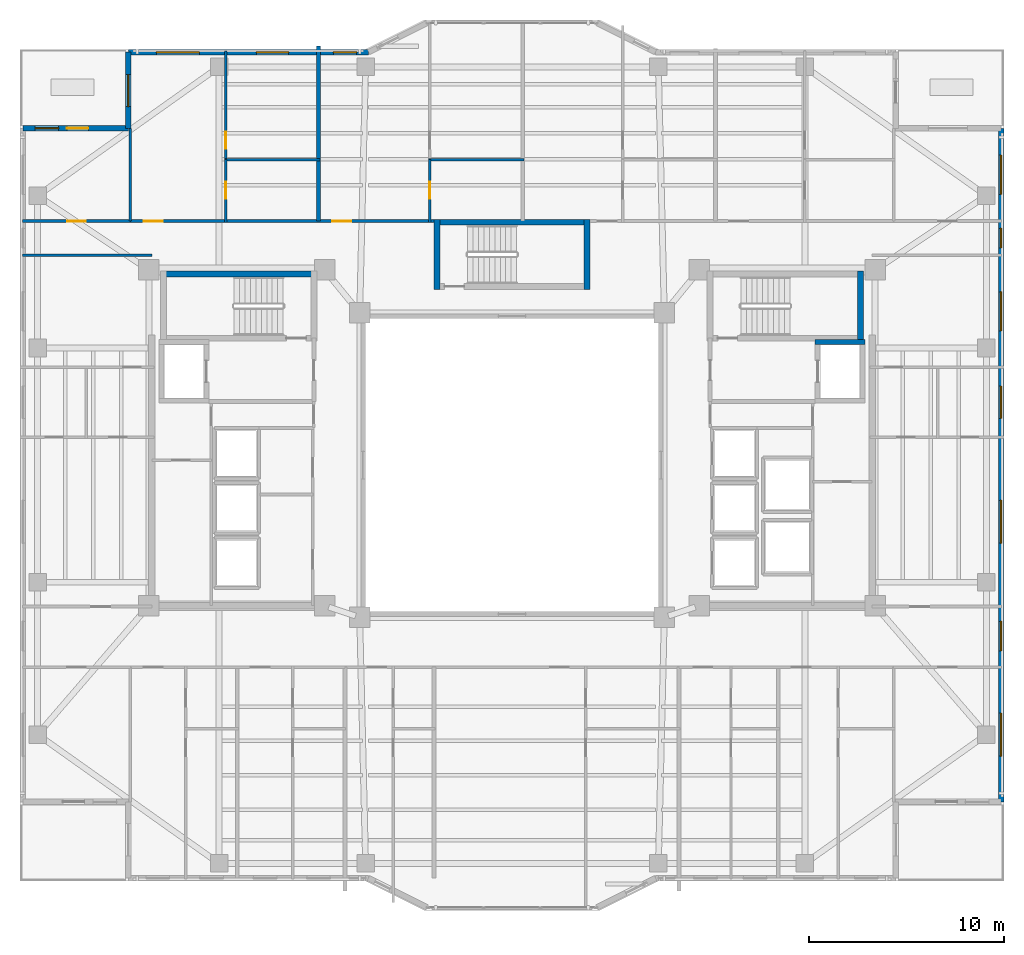
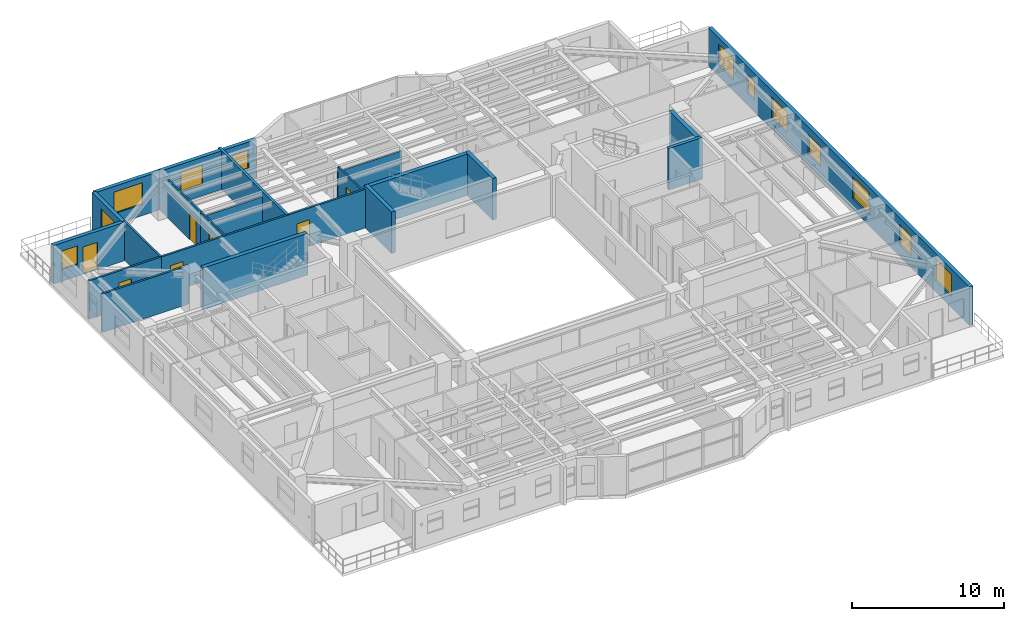
# One storey, part 10 of 17: 20 walls, 12 windows, 7 doors, 19 openings.
"""IFC4 building model written with IfcOpenShell, lengths in metres."""

import ifcopenshell
import ifcopenshell.guid

model = None  # the IFC model being written
_history = None  # IfcOwnerHistory: only IFC2X3 demands one
_inside = {}  # id of a spatial element -> (the spatial element, [elements in it])
_under = {}  # id of a project, library or spatial element -> (it, [spatial elements below it])
_declared = {}  # id of a project -> (the project, [libraries it declares])
_typed = {}  # id of a type object -> (the type object, [elements of that type])
_made_of = {}  # id of a material, layer set ... -> (it, [elements and type objects made of it])


def new_model(schema):
    """Start an empty IFC model of exactly this schema.

    Asked for "IFC4X3", IfcOpenShell would pick the latest addendum, in which some entities
    have other attributes; the version numbers below select the first issue.
    IFC2X3 requires an IfcOwnerHistory on every rooted entity: one is made here for all.
    """
    global model, _history
    if schema == "IFC4X3":
        model = ifcopenshell.file(schema_version=(4, 3, 0, 0))
    else:
        model = ifcopenshell.file(schema=schema)
    _inside.clear()
    _under.clear()
    _declared.clear()
    _typed.clear()
    _made_of.clear()
    _history = None
    if model.schema == "IFC2X3":
        org = make("IfcOrganization", Name="unknown")
        user = make(
            "IfcPersonAndOrganization",
            ThePerson=make("IfcPerson", FamilyName="unknown"),
            TheOrganization=org,
        )
        app = make(
            "IfcApplication",
            ApplicationDeveloper=org,
            Version="unknown",
            ApplicationFullName="unknown",
            ApplicationIdentifier="unknown",
        )
        _history = make(
            "IfcOwnerHistory",
            OwningUser=user,
            OwningApplication=app,
            ChangeAction="ADDED",
            CreationDate=0,
        )
    return model


def make(cls, **values):
    """One entity of the class cls with the attributes given. An attribute that is None is left unset."""
    return model.create_entity(
        cls, **{name: value for name, value in values.items() if value is not None}
    )


def rooted(cls, **values):
    """An entity with a GlobalId (a new one), such as an element, a storey or a relation."""
    return make(cls, GlobalId=ifcopenshell.guid.new(), OwnerHistory=_history, **values)


def si_unit(unit_type, name, prefix=None):
    """IfcSIUnit, for example si_unit("LENGTHUNIT", "METRE", prefix="MILLI")."""
    return make("IfcSIUnit", UnitType=unit_type, Prefix=prefix, Name=name)


def assignment(units):
    """IfcUnitAssignment: the units of a project."""
    return None if units is None else make("IfcUnitAssignment", Units=units)


def point(xyz):
    """IfcCartesianPoint."""
    return None if xyz is None else make("IfcCartesianPoint", Coordinates=xyz)


def direction(xyz):
    """IfcDirection."""
    return None if xyz is None else make("IfcDirection", DirectionRatios=xyz)


def frame(location, z_axis=None, x_axis=None):
    """IfcAxis2Placement3D, a coordinate frame: its origin and axes. An axis left out is left unset."""
    return make(
        "IfcAxis2Placement3D",
        Location=point(location),
        Axis=direction(z_axis),
        RefDirection=direction(x_axis),
    )


def frame_2d(location, x_axis=None):
    """IfcAxis2Placement2D, a coordinate frame in the plane: its origin and x axis."""
    return make(
        "IfcAxis2Placement2D", Location=point(location), RefDirection=direction(x_axis)
    )


def origin():
    """The frame at (0, 0, 0) with its axes left unset."""
    return frame((0.0, 0.0, 0.0))


def place(relative_to, where):
    """IfcLocalPlacement: puts the frame where relative to a parent placement (None: the world)."""
    return make(
        "IfcLocalPlacement", PlacementRelTo=relative_to, RelativePlacement=where
    )


def context(
    kind, dimensions, precision=None, world=None, true_north=None, identifier=None
):
    """IfcGeometricRepresentationContext, for example the 3D "Model" context."""
    return make(
        "IfcGeometricRepresentationContext",
        ContextIdentifier=identifier,
        ContextType=kind,
        CoordinateSpaceDimension=dimensions,
        Precision=precision,
        WorldCoordinateSystem=world,
        TrueNorth=true_north,
    )


def subcontext(parent, identifier, kind, view, scale=None):
    """IfcGeometricRepresentationSubContext, for example "Body" below "Model"."""
    return make(
        "IfcGeometricRepresentationSubContext",
        ContextIdentifier=identifier,
        ContextType=kind,
        ParentContext=parent,
        TargetScale=scale,
        TargetView=view,
    )


def project(units=None, contexts=None):
    """IfcProject with its units and contexts."""
    return rooted(
        "IfcProject",
        Name="project",
        RepresentationContexts=contexts,
        UnitsInContext=assignment(units),
    )


def spatial(cls, under=None, at=None, **own):
    """A site, building, storey or space (cls), placed at a placement, below another one or the project."""
    s = rooted(cls, ObjectPlacement=at, **own)
    if under is not None:
        _under.setdefault(under.id(), (under, []))[1].append(s)
    return s


def profile(cls, at=None, kind="AREA", **sizes):
    """A parametric profile (cls). Its sizes go by their IFC names, for example OverallWidth=200.0."""
    return make(cls, ProfileType=kind, Position=at, **sizes)


def rectangle(**sizes):
    """IfcRectangleProfileDef."""
    return profile("IfcRectangleProfileDef", **sizes)


def extrude(swept, where, along, depth):
    """IfcExtrudedAreaSolid: the profile swept, set in the frame where, extruded along a direction by depth."""
    return make(
        "IfcExtrudedAreaSolid",
        SweptArea=swept,
        Position=where,
        ExtrudedDirection=direction(along),
        Depth=depth,
    )


def shape(context_of_items, identifier, shape_type, items):
    """IfcShapeRepresentation: the items that make up one representation, for example the "Body"."""
    return make(
        "IfcShapeRepresentation",
        ContextOfItems=context_of_items,
        RepresentationIdentifier=identifier,
        RepresentationType=shape_type,
        Items=items,
    )


def material(Name=None, Category=None):
    """IfcMaterial."""
    return make("IfcMaterial", Name=Name, Category=Category)


def layer(
    of_material, thickness, ventilated=None, Name=None, Category=None, Priority=None
):
    """IfcMaterialLayer: one layer of a wall or slab, of a material (None: an air gap)."""
    return make(
        "IfcMaterialLayer",
        Material=of_material,
        LayerThickness=thickness,
        IsVentilated=ventilated,
        Name=Name,
        Category=Category,
        Priority=Priority,
    )


def layer_set(layers, Name=None):
    """IfcMaterialLayerSet."""
    return make("IfcMaterialLayerSet", MaterialLayers=layers, LayerSetName=Name)


def made_of(thing, what):
    """Note that an element or type object is made of a material, layer set ...; save() writes the relation."""
    if what is not None:
        _made_of.setdefault(what.id(), (what, []))[1].append(thing)
    return thing


def type_object(cls, material=None, **own):
    """A type object (cls), such as IfcWallType, which elements share."""
    return made_of(rooted(cls, **own), material)


def element(
    cls,
    number,
    at=None,
    inside=None,
    cuts=None,
    type_object=None,
    material=None,
    context=None,
    identifier="Body",
    shape_type=None,
    held_by="IfcProductDefinitionShape",
    body=None,
    shapes=None,
    **own,
):
    """One element of the class cls, such as IfcWall. Its Tag is "e" and its number.

    at: its placement. inside: the storey or other place that contains it. cuts: it is an
    opening in that element (IfcRelVoidsElement). A single representation is given by context,
    identifier, shape_type and body (its items); several are given by shapes. held_by: the class
    of the entity that holds the representations. save() writes the other relations.
    """
    e = rooted(cls, Tag="e%d" % number, ObjectPlacement=at, **own)
    if body is not None:
        shapes = [shape(context, identifier, shape_type, body)]
    if shapes is not None:
        e.Representation = make(held_by, Representations=shapes)
    if inside is not None:
        _inside.setdefault(inside.id(), (inside, []))[1].append(e)
    if cuts is not None:
        rooted(
            "IfcRelVoidsElement", RelatingBuildingElement=cuts, RelatedOpeningElement=e
        )
    if type_object is not None:
        _typed.setdefault(type_object.id(), (type_object, []))[1].append(e)
    return made_of(e, material)


def fill(opening, filler):
    """IfcRelFillsElement: the door or window that sits in an opening."""
    return rooted(
        "IfcRelFillsElement",
        RelatingOpeningElement=opening,
        RelatedBuildingElement=filler,
    )


def aggregate(whole, parts):
    """IfcRelAggregates: a whole, such as a stair, and the parts it consists of."""
    return rooted("IfcRelAggregates", RelatingObject=whole, RelatedObjects=parts)


def save(model, path):
    """Write the relations noted so far, then the file.

    IfcRelAggregates (storeys below a building ...), IfcRelContainedInSpatialStructure (elements
    in a storey), IfcRelDefinesByType, IfcRelAssociatesMaterial and IfcRelDeclares: one each for
    every whole, place, type object, material and project.
    """
    for whole, parts in _under.values():
        aggregate(whole, parts)
    for where, things in _inside.values():
        rooted(
            "IfcRelContainedInSpatialStructure",
            RelatedElements=things,
            RelatingStructure=where,
        )
    for kind, things in _typed.values():
        rooted("IfcRelDefinesByType", RelatedObjects=things, RelatingType=kind)
    for what, things in _made_of.values():
        rooted("IfcRelAssociatesMaterial", RelatedObjects=things, RelatingMaterial=what)
    for by, libraries in _declared.values():
        rooted("IfcRelDeclares", RelatingContext=by, RelatedDefinitions=libraries)
    model.write(path)


model = new_model("IFC4")

# Units and contexts
model_context = context("Model", 3, precision=1e-05, world=origin(), true_north=direction((0.0, 1.0)))
body_context = subcontext(model_context, "Body", "Model", "MODEL_VIEW")
ifc_project = project(units=[si_unit("LENGTHUNIT", "METRE"), si_unit("AREAUNIT", "SQUARE_METRE"), si_unit("VOLUMEUNIT", "CUBIC_METRE"), si_unit("PLANEANGLEUNIT", "RADIAN"), si_unit("MASSUNIT", "GRAM", prefix="KILO")], contexts=[model_context])

# Site, building, storey
site_placement = place(None, origin())
site = spatial("IfcSite", under=ifc_project, at=site_placement, CompositionType="ELEMENT")
building_placement = place(site_placement, origin())
building = spatial("IfcBuilding", under=site, at=building_placement, Name="Tarnavaz Court Tower", CompositionType="ELEMENT")
storey_placement = place(building_placement, frame((0.0, 0.0, 132.60009765625)))
storey = spatial("IfcBuildingStorey", under=building, at=storey_placement, Name="L35", CompositionType="ELEMENT", Elevation=132.60009765625)

# Walls
ifc_material_1 = material(Name="Concrete C50/60", Category="concrete")
ifc_layer_1 = layer(ifc_material_1, 0.25)
ifc_layer_set_1 = layer_set([ifc_layer_1], Name="Concrete C50/60")
wall_type_1 = type_object("IfcWallType", Name="WL-CORE-250-C50", PredefinedType="SHEAR", material=ifc_layer_set_1)
wall_1_placement = place(storey_placement, frame((15.52490234375, 6.300048828125, 0.0), z_axis=(0.0, 0.0, 1.0), x_axis=(1.0, 0.0, 0.0)))
element("IfcWall", 1, at=wall_1_placement, inside=storey, type_object=wall_type_1, Name="L35 Lift FL-E1 Shaft Wall 036", PredefinedType="SHEAR", context=body_context, shape_type="SweptSolid", body=[
    extrude(rectangle(XDim=2.550048828125, YDim=0.25, at=frame_2d((1.27490234375, 0.0))), origin(), (0.0, 0.0, 1.0), 3.349853515625),
])
ifc_layer_2 = layer(ifc_material_1, 0.300048828125)
ifc_layer_set_2 = layer_set([ifc_layer_2], Name="Concrete C50/60")
wall_type_2 = type_object("IfcWallType", Name="WL-CORE-300-C50", PredefinedType="SHEAR", material=ifc_layer_set_2)
wall_2_placement = place(storey_placement, frame((-18.0, 9.7900390625, 0.0), z_axis=(0.0, 0.0, 1.0), x_axis=(1.0, 0.0, 0.0)))
element("IfcWall", 2, at=wall_2_placement, inside=storey, type_object=wall_type_2, Name="L35 West Stair Core Wall 001", PredefinedType="SHEAR", context=body_context, shape_type="SweptSolid", body=[
    extrude(rectangle(XDim=8.0, YDim=0.300048828125, at=frame_2d((4.0, 0.0))), origin(), (0.0, 0.0, 1.0), 3.349853515625),
])
wall_3_placement = place(storey_placement, frame((17.85009765625, 6.35009765625, 0.0), z_axis=(0.0, 0.0, 1.0), x_axis=(0.0, 1.0, 0.0)))
element("IfcWall", 3, at=wall_3_placement, inside=storey, type_object=wall_type_2, Name="L35 East Stair Core Wall 008", PredefinedType="SHEAR", context=body_context, shape_type="SweptSolid", body=[
    extrude(rectangle(XDim=3.58984375, YDim=0.300048828125, at=frame_2d((1.794921875, 0.0))), origin(), (0.0, 0.0, 1.0), 3.349853515625),
])
wall_4_placement = place(storey_placement, frame((-4.0, 12.43994140625, 0.0), z_axis=(0.0, 0.0, 1.0), x_axis=(1.0, 0.0, 0.0)))
element("IfcWall", 4, at=wall_4_placement, inside=storey, type_object=wall_type_2, Name="L35 North Stair Core Wall 009", PredefinedType="SHEAR", context=body_context, shape_type="SweptSolid", body=[
    extrude(rectangle(XDim=8.0, YDim=0.300048828125, at=frame_2d((4.0, 0.0))), origin(), (0.0, 0.0, 1.0), 3.349853515625),
])
for number, where, z_axis, x_axis, name in (
    (5, (-3.85009765625, 9.0, 0.0), (0.0, 0.0, 1.0), (0.0, 1.0, 0.0), "L35 North Stair Core Wall 011"),
    (6, (3.85009765625, 9.0, 0.0), (0.0, 0.0, 1.0), (0.0, 1.0, 0.0), "L35 North Stair Core Wall 012"),
):
    element("IfcWall", number, at=place(storey_placement, frame(where, z_axis=z_axis, x_axis=x_axis)), inside=storey, type_object=wall_type_2, Name=name, PredefinedType="SHEAR", context=body_context, shape_type="SweptSolid", body=[
        extrude(rectangle(XDim=3.590087890625, YDim=0.300048828125, at=frame_2d((1.794921875, 0.0))), origin(), (0.0, 0.0, 1.0), 3.349853515625),
    ])

# Wall, openings, door, window
ifc_material_2 = material(Name="Precast Concrete C40/50", Category="concrete")
ifc_layer_3 = layer(ifc_material_2, 0.280029296875)
ifc_layer_set_3 = layer_set([ifc_layer_3], Name="Precast Concrete C40/50")
wall_type_3 = type_object("IfcWallType", Name="WL-EXT-280", PredefinedType="SOLIDWALL", material=ifc_layer_set_3)
wall_5_placement = place(storey_placement, frame((-25.050048828125, 17.25, 0.0), z_axis=(0.0, 0.0, 1.0), x_axis=(1.0, 0.0, 0.0)))
wall_5 = element("IfcWall", 7, at=wall_5_placement, inside=storey, type_object=wall_type_3, Name="L35 Exterior Terracotta Facade Wall 03", PredefinedType="SOLIDWALL", context=body_context, shape_type="SweptSolid", body=[
    extrude(rectangle(XDim=5.400146484375, YDim=0.280029296875, at=frame_2d((2.7001953125, 0.0))), origin(), (0.0, 0.0, 1.0), 3.099853515625),
])
opening_1_placement = place(wall_5_placement, frame((2.25, 0.0, 0.0)))
opening_1 = element("IfcOpeningElement", 8, at=opening_1_placement, cuts=wall_5, Name="Opening TD1", PredefinedType="OPENING", context=body_context, shape_type="SweptSolid", body=[
    extrude(rectangle(XDim=1.10009765625, YDim=2.199951171875, at=frame_2d((0.550048828125, 1.10009765625))), frame((0.0, 0.14990234375, 0.0), z_axis=(0.0, -1.0, 0.0), x_axis=(1.0, 0.0, 0.0)), (0.0, 0.0, 1.0), 0.300048828125),
])
opening_2_placement = place(wall_5_placement, frame((0.6298828125, 0.0, 0.949951171875)))
opening_2 = element("IfcOpeningElement", 9, at=opening_2_placement, cuts=wall_5, Name="Opening W05", PredefinedType="OPENING", context=body_context, shape_type="SweptSolid", body=[
    extrude(rectangle(XDim=1.199951171875, YDim=1.5, at=frame_2d((0.60009765625, 0.75))), frame((0.0, 0.14990234375, 0.0), z_axis=(0.0, -1.0, 0.0), x_axis=(1.0, 0.0, 0.0)), (0.0, 0.0, 1.0), 0.300048828125),
])
ifc_material_3 = material(Name="Thermally Broken Aluminium and Laminated Glass", Category="aluminium")
door_type_1 = type_object("IfcDoorType", Name="DR-TERR-1100", OperationType="NOTDEFINED", PredefinedType="DOOR", material=ifc_material_3)
door_1_placement = place(opening_1_placement, origin())
door_1 = element("IfcDoor", 10, at=door_1_placement, inside=storey, type_object=door_type_1, Name="L35 Sky Terrace Access Door 2", OperationType="SINGLE_SWING_RIGHT", OverallHeight=2.199951171875, OverallWidth=1.10009765625, PredefinedType="DOOR", context=body_context, shape_type="SweptSolid", body=[
    extrude(rectangle(XDim=1.10009765625, YDim=2.199951171875, at=frame_2d((0.550048828125, 1.10009765625))), frame((0.0, 0.02490234375, 0.0), z_axis=(0.0, -1.0, 0.0), x_axis=(1.0, 0.0, 0.0)), (0.0, 0.0, 1.0), 0.050048828125),
])
fill(opening_1, door_1)
ifc_material_4 = material(Name="Double-Glazed Solar Low-E Glass", Category="glass")
window_type_1 = type_object("IfcWindowType", Name="WN-APT-1200", PartitioningType="SINGLE_PANEL", PredefinedType="WINDOW", material=ifc_material_4)
window_1_placement = place(opening_2_placement, origin())
window_1 = element("IfcWindow", 11, at=window_1_placement, inside=storey, type_object=window_type_1, Name="L35 North-West Corner Sunroom Study Window", OverallHeight=1.5, OverallWidth=1.199951171875, PartitioningType="SINGLE_PANEL", PredefinedType="WINDOW", context=body_context, shape_type="SweptSolid", body=[
    extrude(rectangle(XDim=1.199951171875, YDim=1.5, at=frame_2d((0.60009765625, 0.75))), frame((0.0, 0.030029296875, 0.0), z_axis=(0.0, -1.0, 0.0), x_axis=(1.0, 0.0, 0.0)), (0.0, 0.0, 1.0), 0.06005859375),
])
fill(opening_2, window_1)

# Wall, opening, window
wall_6_placement = place(storey_placement, frame((-19.64990234375, 17.25, 0.0), z_axis=(0.0, 0.0, 1.0), x_axis=(0.0, 1.0, 0.0)))
wall_6 = element("IfcWall", 12, at=wall_6_placement, inside=storey, type_object=wall_type_3, Name="L35 Exterior Terracotta Facade Wall 04", PredefinedType="SOLIDWALL", context=body_context, shape_type="SweptSolid", body=[
    extrude(rectangle(XDim=3.89990234375, YDim=0.280029296875, at=frame_2d((1.949951171875, 0.0))), origin(), (0.0, 0.0, 1.0), 3.099853515625),
])
opening_3_placement = place(wall_6_placement, frame((1.107177734375, 0.0, 0.89990234375)))
opening_3 = element("IfcOpeningElement", 13, at=opening_3_placement, cuts=wall_6, Name="Opening W02", PredefinedType="OPENING", context=body_context, shape_type="SweptSolid", body=[
    extrude(rectangle(XDim=1.64990234375, YDim=1.60009765625, at=frame_2d((0.824951171875, 0.800048828125))), frame((0.0, 0.14990234375, 0.0), z_axis=(0.0, -1.0, 0.0), x_axis=(1.0, 0.0, 0.0)), (0.0, 0.0, 1.0), 0.300048828125),
])
window_type_2 = type_object("IfcWindowType", Name="WN-APT-1650", PartitioningType="DOUBLE_PANEL_VERTICAL", PredefinedType="WINDOW", material=ifc_material_4)
window_2_placement = place(opening_3_placement, origin())
window_2 = element("IfcWindow", 14, at=window_2_placement, inside=storey, type_object=window_type_2, Name="L35 Flat 01 Studio Living and Sleeping Room Window", OverallHeight=1.60009765625, OverallWidth=1.64990234375, PartitioningType="SINGLE_PANEL", PredefinedType="WINDOW", context=body_context, shape_type="SweptSolid", body=[
    extrude(rectangle(XDim=1.64990234375, YDim=1.60009765625, at=frame_2d((0.824951171875, 0.800048828125))), frame((0.0, 0.030029296875, 0.0), z_axis=(0.0, -1.0, 0.0), x_axis=(1.0, 0.0, 0.0)), (0.0, 0.0, 1.0), 0.06005859375),
])
fill(opening_3, window_2)

# Wall, openings, windows
wall_7_placement = place(storey_placement, frame((-19.64990234375, 21.14990234375, 0.0), z_axis=(0.0, 0.0, 1.0), x_axis=(1.0, 0.0, 0.0)))
wall_7 = element("IfcWall", 15, at=wall_7_placement, inside=storey, type_object=wall_type_3, Name="L35 Exterior Terracotta Facade Wall 05", PredefinedType="SOLIDWALL", context=body_context, shape_type="SweptSolid", body=[
    extrude(rectangle(XDim=12.2998046875, YDim=0.280029296875, at=frame_2d((6.14990234375, 0.0))), origin(), (0.0, 0.0, 1.0), 3.099853515625),
])
opening_4_placement = place(wall_7_placement, frame((1.435302734375, 0.0, 0.89990234375)))
opening_4 = element("IfcOpeningElement", 16, at=opening_4_placement, cuts=wall_7, Name="Opening W07", PredefinedType="OPENING", context=body_context, shape_type="SweptSolid", body=[
    extrude(rectangle(XDim=2.199951171875, YDim=1.75, at=frame_2d((1.10009765625, 0.875))), frame((0.0, 0.14990234375, 0.0), z_axis=(0.0, -1.0, 0.0), x_axis=(1.0, 0.0, 0.0)), (0.0, 0.0, 1.0), 0.300048828125),
])
opening_5_placement = place(wall_7_placement, frame((6.554931640625, 0.0, 0.89990234375)))
opening_5 = element("IfcOpeningElement", 17, at=opening_5_placement, cuts=wall_7, Name="Opening W02", PredefinedType="OPENING", context=body_context, shape_type="SweptSolid", body=[
    extrude(rectangle(XDim=1.64990234375, YDim=1.60009765625, at=frame_2d((0.824951171875, 0.800048828125))), frame((0.0, 0.14990234375, 0.0), z_axis=(0.0, -1.0, 0.0), x_axis=(1.0, 0.0, 0.0)), (0.0, 0.0, 1.0), 0.300048828125),
])
opening_6_placement = place(wall_7_placement, frame((10.4951171875, 0.0, 0.949951171875)))
opening_6 = element("IfcOpeningElement", 18, at=opening_6_placement, cuts=wall_7, Name="Opening W05", PredefinedType="OPENING", context=body_context, shape_type="SweptSolid", body=[
    extrude(rectangle(XDim=1.199951171875, YDim=1.5, at=frame_2d((0.60009765625, 0.75))), frame((0.0, 0.14990234375, 0.0), z_axis=(0.0, -1.0, 0.0), x_axis=(1.0, 0.0, 0.0)), (0.0, 0.0, 1.0), 0.300048828125),
])
window_3_placement = place(opening_6_placement, origin())
window_3 = element("IfcWindow", 19, at=window_3_placement, inside=storey, type_object=window_type_1, Name="L35 Flat 02 Studio Living and Sleeping Room Window", OverallHeight=1.5, OverallWidth=1.199951171875, PartitioningType="SINGLE_PANEL", PredefinedType="WINDOW", context=body_context, shape_type="SweptSolid", body=[
    extrude(rectangle(XDim=1.199951171875, YDim=1.5, at=frame_2d((0.60009765625, 0.75))), frame((0.0, 0.030029296875, 0.0), z_axis=(0.0, -1.0, 0.0), x_axis=(1.0, 0.0, 0.0)), (0.0, 0.0, 1.0), 0.06005859375),
])
fill(opening_6, window_3)
window_4_placement = place(opening_5_placement, origin())
window_4 = element("IfcWindow", 20, at=window_4_placement, inside=storey, type_object=window_type_2, Name="L35 Flat 01 Kitchen Window", OverallHeight=1.60009765625, OverallWidth=1.64990234375, PartitioningType="SINGLE_PANEL", PredefinedType="WINDOW", context=body_context, shape_type="SweptSolid", body=[
    extrude(rectangle(XDim=1.64990234375, YDim=1.60009765625, at=frame_2d((0.824951171875, 0.800048828125))), frame((0.0, 0.030029296875, 0.0), z_axis=(0.0, -1.0, 0.0), x_axis=(1.0, 0.0, 0.0)), (0.0, 0.0, 1.0), 0.06005859375),
])
fill(opening_5, window_4)
window_type_3 = type_object("IfcWindowType", Name="WN-APT-2200", PartitioningType="TRIPLE_PANEL_VERTICAL", PredefinedType="WINDOW", material=ifc_material_4)
window_5_placement = place(opening_4_placement, origin())
window_5 = element("IfcWindow", 21, at=window_5_placement, inside=storey, type_object=window_type_3, Name="L35 Flat 01 Studio Living and Sleeping Room Window", OverallHeight=1.75, OverallWidth=2.199951171875, PartitioningType="SINGLE_PANEL", PredefinedType="WINDOW", context=body_context, shape_type="SweptSolid", body=[
    extrude(rectangle(XDim=2.199951171875, YDim=1.75, at=frame_2d((1.10009765625, 0.875))), frame((0.0, 0.030029296875, 0.0), z_axis=(0.0, -1.0, 0.0), x_axis=(1.0, 0.0, 0.0)), (0.0, 0.0, 1.0), 0.06005859375),
])
fill(opening_4, window_5)

wall_8_placement = place(storey_placement, frame((25.050048828125, 17.25, 0.0), z_axis=(0.0, 0.0, 1.0), x_axis=(0.0, -1.0, 0.0)))
wall_8 = element("IfcWall", 22, at=wall_8_placement, inside=storey, type_object=wall_type_3, Name="L35 Exterior Terracotta Facade Wall 12", PredefinedType="SOLIDWALL", context=body_context, shape_type="SweptSolid", body=[
    extrude(rectangle(XDim=34.5, YDim=0.280029296875, at=frame_2d((17.25, 0.0))), origin(), (0.0, 0.0, 1.0), 3.099853515625),
])
opening_7_placement = place(wall_8_placement, frame((1.375, 0.0, 0.89990234375)))
opening_7 = element("IfcOpeningElement", 23, at=opening_7_placement, cuts=wall_8, Name="Opening W08", PredefinedType="OPENING", context=body_context, shape_type="SweptSolid", body=[
    extrude(rectangle(XDim=2.0, YDim=1.699951171875, at=frame_2d((1.0, 0.85009765625))), frame((0.0, 0.14990234375, 0.0), z_axis=(0.0, -1.0, 0.0), x_axis=(1.0, 0.0, 0.0)), (0.0, 0.0, 1.0), 0.300048828125),
])
opening_8_placement = place(wall_8_placement, frame((5.125, 0.0, 0.949951171875)))
opening_8 = element("IfcOpeningElement", 24, at=opening_8_placement, cuts=wall_8, Name="Opening W14", PredefinedType="OPENING", context=body_context, shape_type="SweptSolid", body=[
    extrude(rectangle(XDim=1.0, YDim=1.5, at=frame_2d((0.5, 0.75))), frame((0.0, 0.14990234375, 0.0), z_axis=(0.0, -1.0, 0.0), x_axis=(1.0, 0.0, 0.0)), (0.0, 0.0, 1.0), 0.300048828125),
])
opening_9_placement = place(wall_8_placement, frame((8.375, 0.0, 0.89990234375)))
opening_9 = element("IfcOpeningElement", 25, at=opening_9_placement, cuts=wall_8, Name="Opening W08", PredefinedType="OPENING", context=body_context, shape_type="SweptSolid", body=[
    extrude(rectangle(XDim=2.0, YDim=1.699951171875, at=frame_2d((1.0, 0.85009765625))), frame((0.0, 0.14990234375, 0.0), z_axis=(0.0, -1.0, 0.0), x_axis=(1.0, 0.0, 0.0)), (0.0, 0.0, 1.0), 0.300048828125),
])
opening_10_placement = place(wall_8_placement, frame((13.199951171875, 0.0, 0.89990234375)))
opening_10 = element("IfcOpeningElement", 26, at=opening_10_placement, cuts=wall_8, Name="Opening W02", PredefinedType="OPENING", context=body_context, shape_type="SweptSolid", body=[
    extrude(rectangle(XDim=1.64990234375, YDim=1.60009765625, at=frame_2d((0.824951171875, 0.800048828125))), frame((0.0, 0.14990234375, 0.0), z_axis=(0.0, -1.0, 0.0), x_axis=(1.0, 0.0, 0.0)), (0.0, 0.0, 1.0), 0.300048828125),
])
opening_11_placement = place(wall_8_placement, frame((19.050048828125, 0.0, 0.89990234375)))
opening_11 = element("IfcOpeningElement", 27, at=opening_11_placement, cuts=wall_8, Name="Opening W07", PredefinedType="OPENING", context=body_context, shape_type="SweptSolid", body=[
    extrude(rectangle(XDim=2.199951171875, YDim=1.75, at=frame_2d((1.10009765625, 0.875))), frame((0.0, 0.14990234375, 0.0), z_axis=(0.0, -1.0, 0.0), x_axis=(1.0, 0.0, 0.0)), (0.0, 0.0, 1.0), 0.300048828125),
])
opening_12_placement = place(wall_8_placement, frame((25.257568359375, 0.0, 0.89990234375)))
opening_12 = element("IfcOpeningElement", 28, at=opening_12_placement, cuts=wall_8, Name="Opening W03", PredefinedType="OPENING", context=body_context, shape_type="SweptSolid", body=[
    extrude(rectangle(XDim=1.5, YDim=1.64990234375, at=frame_2d((0.75, 0.824951171875))), frame((0.0, 0.14990234375, 0.0), z_axis=(0.0, -1.0, 0.0), x_axis=(1.0, 0.0, 0.0)), (0.0, 0.0, 1.0), 0.300048828125),
])
opening_13_placement = place(wall_8_placement, frame((29.949951171875, 0.0, 0.89990234375)))
opening_13 = element("IfcOpeningElement", 29, at=opening_13_placement, cuts=wall_8, Name="Opening W07", PredefinedType="OPENING", context=body_context, shape_type="SweptSolid", body=[
    extrude(rectangle(XDim=2.199951171875, YDim=1.75, at=frame_2d((1.10009765625, 0.875))), frame((0.0, 0.14990234375, 0.0), z_axis=(0.0, -1.0, 0.0), x_axis=(1.0, 0.0, 0.0)), (0.0, 0.0, 1.0), 0.300048828125),
])
window_type_4 = type_object("IfcWindowType", Name="WN-APT-1000", PartitioningType="SINGLE_PANEL", PredefinedType="WINDOW", material=ifc_material_4)
window_6_placement = place(opening_8_placement, origin())
window_6 = element("IfcWindow", 30, at=window_6_placement, inside=storey, type_object=window_type_4, Name="L35 North-East Corner Corridor Window", OverallHeight=1.5, OverallWidth=1.0, PartitioningType="SINGLE_PANEL", PredefinedType="WINDOW", context=body_context, shape_type="SweptSolid", body=[
    extrude(rectangle(XDim=1.0, YDim=1.5, at=frame_2d((0.5, 0.75))), frame((0.0, 0.030029296875, 0.0), z_axis=(0.0, -1.0, 0.0), x_axis=(1.0, 0.0, 0.0)), (0.0, 0.0, 1.0), 0.06005859375),
])
fill(opening_8, window_6)
window_type_5 = type_object("IfcWindowType", Name="WN-APT-1500", PartitioningType="DOUBLE_PANEL_VERTICAL", PredefinedType="WINDOW", material=ifc_material_4)
window_7_placement = place(opening_12_placement, origin())
window_7 = element("IfcWindow", 31, at=window_7_placement, inside=storey, type_object=window_type_5, Name="L35 South-East Corner Corridor Window", OverallHeight=1.64990234375, OverallWidth=1.5, PartitioningType="SINGLE_PANEL", PredefinedType="WINDOW", context=body_context, shape_type="SweptSolid", body=[
    extrude(rectangle(XDim=1.5, YDim=1.64990234375, at=frame_2d((0.75, 0.824951171875))), frame((0.0, 0.030029296875, 0.0), z_axis=(0.0, -1.0, 0.0), x_axis=(1.0, 0.0, 0.0)), (0.0, 0.0, 1.0), 0.06005859375),
])
fill(opening_12, window_7)
window_8_placement = place(opening_10_placement, origin())
window_8 = element("IfcWindow", 32, at=window_8_placement, inside=storey, type_object=window_type_2, Name="L35 Flat 12 Bathroom Window", OverallHeight=1.60009765625, OverallWidth=1.64990234375, PartitioningType="SINGLE_PANEL", PredefinedType="WINDOW", context=body_context, shape_type="SweptSolid", body=[
    extrude(rectangle(XDim=1.64990234375, YDim=1.60009765625, at=frame_2d((0.824951171875, 0.800048828125))), frame((0.0, 0.030029296875, 0.0), z_axis=(0.0, -1.0, 0.0), x_axis=(1.0, 0.0, 0.0)), (0.0, 0.0, 1.0), 0.06005859375),
])
fill(opening_10, window_8)
window_type_6 = type_object("IfcWindowType", Name="WN-APT-2000", PartitioningType="DOUBLE_PANEL_VERTICAL", PredefinedType="WINDOW", material=ifc_material_4)
window_9_placement = place(opening_7_placement, origin())
window_9 = element("IfcWindow", 33, at=window_9_placement, inside=storey, type_object=window_type_6, Name="L35 North-East Corner Sunroom Study Window", OverallHeight=1.699951171875, OverallWidth=2.0, PartitioningType="SINGLE_PANEL", PredefinedType="WINDOW", context=body_context, shape_type="SweptSolid", body=[
    extrude(rectangle(XDim=2.0, YDim=1.699951171875, at=frame_2d((1.0, 0.85009765625))), frame((0.0, 0.030029296875, 0.0), z_axis=(0.0, -1.0, 0.0), x_axis=(1.0, 0.0, 0.0)), (0.0, 0.0, 1.0), 0.06005859375),
])
fill(opening_7, window_9)
window_10_placement = place(opening_9_placement, origin())
window_10 = element("IfcWindow", 34, at=window_10_placement, inside=storey, type_object=window_type_6, Name="L35 Flat 12 Study Room Window", OverallHeight=1.699951171875, OverallWidth=2.0, PartitioningType="SINGLE_PANEL", PredefinedType="WINDOW", context=body_context, shape_type="SweptSolid", body=[
    extrude(rectangle(XDim=2.0, YDim=1.699951171875, at=frame_2d((1.0, 0.85009765625))), frame((0.0, 0.030029296875, 0.0), z_axis=(0.0, -1.0, 0.0), x_axis=(1.0, 0.0, 0.0)), (0.0, 0.0, 1.0), 0.06005859375),
])
fill(opening_9, window_10)
window_11_placement = place(opening_11_placement, origin())
window_11 = element("IfcWindow", 35, at=window_11_placement, inside=storey, type_object=window_type_3, Name="L35 Flat 12 Studio Living and Sleeping Room Window", OverallHeight=1.75, OverallWidth=2.199951171875, PartitioningType="SINGLE_PANEL", PredefinedType="WINDOW", context=body_context, shape_type="SweptSolid", body=[
    extrude(rectangle(XDim=2.199951171875, YDim=1.75, at=frame_2d((1.10009765625, 0.875))), frame((0.0, 0.030029296875, 0.0), z_axis=(0.0, -1.0, 0.0), x_axis=(1.0, 0.0, 0.0)), (0.0, 0.0, 1.0), 0.06005859375),
])
fill(opening_11, window_11)
window_12_placement = place(opening_13_placement, origin())
window_12 = element("IfcWindow", 36, at=window_12_placement, inside=storey, type_object=window_type_3, Name="L35 South-East Corner Reading Room Window", OverallHeight=1.75, OverallWidth=2.199951171875, PartitioningType="SINGLE_PANEL", PredefinedType="WINDOW", context=body_context, shape_type="SweptSolid", body=[
    extrude(rectangle(XDim=2.199951171875, YDim=1.75, at=frame_2d((1.10009765625, 0.875))), frame((0.0, 0.030029296875, 0.0), z_axis=(0.0, -1.0, 0.0), x_axis=(1.0, 0.0, 0.0)), (0.0, 0.0, 1.0), 0.06005859375),
])
fill(opening_13, window_12)

# Wall, openings, doors
ifc_material_5 = material(Name="Gypsum Fire-Board on Acoustic Metal Stud", Category="masonry")
ifc_layer_4 = layer(ifc_material_5, 0.14990234375)
ifc_layer_set_4 = layer_set([ifc_layer_4], Name="Gypsum Fire-Board on Acoustic Metal Stud")
wall_type_4 = type_object("IfcWallType", Name="WL-FIRE-150", PredefinedType="PARTITIONING", material=ifc_layer_set_4)
wall_9_placement = place(storey_placement, frame((-19.550048828125, 12.5, 0.0), z_axis=(0.0, 0.0, 1.0), x_axis=(1.0, 0.0, 0.0)))
wall_9 = element("IfcWall", 37, at=wall_9_placement, inside=storey, type_object=wall_type_4, Name="L35 NW Wing Corridor Wall 071", PredefinedType="PARTITIONING", context=body_context, shape_type="SweptSolid", body=[
    extrude(rectangle(XDim=15.699951171875, YDim=0.14990234375, at=frame_2d((7.85009765625, 0.0))), origin(), (0.0, 0.0, 1.0), 3.099853515625),
])
opening_14_placement = place(wall_9_placement, frame((0.699951171875, 0.0, 0.0)))
opening_14 = element("IfcOpeningElement", 38, at=opening_14_placement, cuts=wall_9, Name="Opening D06", PredefinedType="OPENING", context=body_context, shape_type="SweptSolid", body=[
    extrude(rectangle(XDim=0.9599609375, YDim=2.14990234375, at=frame_2d((0.47998046875, 1.074951171875))), frame((0.0, 0.0849609375, 0.0), z_axis=(0.0, -1.0, 0.0), x_axis=(1.0, 0.0, 0.0)), (0.0, 0.0, 1.0), 0.169921875),
])
opening_15_placement = place(wall_9_placement, frame((10.347900390625, 0.0, 0.0)))
opening_15 = element("IfcOpeningElement", 39, at=opening_15_placement, cuts=wall_9, Name="Opening D06", PredefinedType="OPENING", context=body_context, shape_type="SweptSolid", body=[
    extrude(rectangle(XDim=0.9599609375, YDim=2.14990234375, at=frame_2d((0.47998046875, 1.074951171875))), frame((0.0, 0.0849609375, 0.0), z_axis=(0.0, -1.0, 0.0), x_axis=(1.0, 0.0, 0.0)), (0.0, 0.0, 1.0), 0.169921875),
])
ifc_material_6 = material(Name="Fire-Rated Hardwood Timber Core", Category="wood")
door_type_2 = type_object("IfcDoorType", Name="DR-FD60-950", OperationType="NOTDEFINED", PredefinedType="DOOR", material=ifc_material_6)
door_2_placement = place(opening_14_placement, origin())
door_2 = element("IfcDoor", 40, at=door_2_placement, inside=storey, type_object=door_type_2, Name="L35 Flat 01 Entrance Door", OperationType="SINGLE_SWING_LEFT", OverallHeight=2.14990234375, OverallWidth=0.9599609375, PredefinedType="DOOR", context=body_context, shape_type="SweptSolid", body=[
    extrude(rectangle(XDim=0.9599609375, YDim=2.14990234375, at=frame_2d((0.47998046875, 1.074951171875))), frame((0.0, 0.02490234375, 0.0), z_axis=(0.0, -1.0, 0.0), x_axis=(1.0, 0.0, 0.0)), (0.0, 0.0, 1.0), 0.050048828125),
])
fill(opening_14, door_2)
door_3_placement = place(opening_15_placement, origin())
door_3 = element("IfcDoor", 41, at=door_3_placement, inside=storey, type_object=door_type_2, Name="L35 Flat 02 Entrance Door", OperationType="SINGLE_SWING_RIGHT", OverallHeight=2.14990234375, OverallWidth=0.9599609375, PredefinedType="DOOR", context=body_context, shape_type="SweptSolid", body=[
    extrude(rectangle(XDim=0.9599609375, YDim=2.14990234375, at=frame_2d((0.47998046875, 1.074951171875))), frame((0.0, 0.02490234375, 0.0), z_axis=(0.0, -1.0, 0.0), x_axis=(1.0, 0.0, 0.0)), (0.0, 0.0, 1.0), 0.050048828125),
])
fill(opening_15, door_3)

# Wall
wall_10_placement = place(storey_placement, frame((-25.080078125, 10.75, 0.0), z_axis=(0.0, 0.0, 1.0), x_axis=(1.0, 0.0, 0.0)))
element("IfcWall", 42, at=wall_10_placement, inside=storey, type_object=wall_type_4, Name="L35 Interior Partition 115", PredefinedType="PARTITIONING", context=body_context, shape_type="SweptSolid", body=[
    extrude(rectangle(XDim=6.630126953125, YDim=0.14990234375, at=frame_2d((3.31494140625, 0.0))), origin(), (0.0, 0.0, 1.0), 3.099853515625),
])

# Wall, opening, door
wall_11_placement = place(storey_placement, frame((-25.080078125, 12.5, 0.0), z_axis=(0.0, 0.0, 1.0), x_axis=(1.0, 0.0, 0.0)))
wall_11 = element("IfcWall", 43, at=wall_11_placement, inside=storey, type_object=wall_type_4, Name="L35 Interior Partition 122", PredefinedType="PARTITIONING", context=body_context, shape_type="SweptSolid", body=[
    extrude(rectangle(XDim=5.530029296875, YDim=0.14990234375, at=frame_2d((2.76513671875, 0.0))), origin(), (0.0, 0.0, 1.0), 3.099853515625),
])
opening_16_placement = place(wall_11_placement, frame((2.2900390625, 0.0, 0.0)))
opening_16 = element("IfcOpeningElement", 44, at=opening_16_placement, cuts=wall_11, Name="Opening D13", PredefinedType="OPENING", context=body_context, shape_type="SweptSolid", body=[
    extrude(rectangle(XDim=0.949951171875, YDim=2.14990234375, at=frame_2d((0.47509765625, 1.074951171875))), frame((0.0, 0.0849609375, 0.0), z_axis=(0.0, -1.0, 0.0), x_axis=(1.0, 0.0, 0.0)), (0.0, 0.0, 1.0), 0.169921875),
])
ifc_material_7 = material(Name="Engineered Oak Timber", Category="wood")
door_type_3 = type_object("IfcDoorType", Name="DR-INT-950", OperationType="NOTDEFINED", PredefinedType="DOOR", material=ifc_material_7)
door_4_placement = place(opening_16_placement, origin())
door_4 = element("IfcDoor", 45, at=door_4_placement, inside=storey, type_object=door_type_3, Name="L35 NW Sunroom Door", OperationType="SINGLE_SWING_LEFT", OverallHeight=2.14990234375, OverallWidth=0.949951171875, PredefinedType="DOOR", context=body_context, shape_type="SweptSolid", body=[
    extrude(rectangle(XDim=0.949951171875, YDim=2.14990234375, at=frame_2d((0.47509765625, 1.074951171875))), frame((0.0, 0.02490234375, 0.0), z_axis=(0.0, -1.0, 0.0), x_axis=(1.0, 0.0, 0.0)), (0.0, 0.0, 1.0), 0.050048828125),
])
fill(opening_16, door_4)

# Wall
ifc_material_8 = material(Name="Autoclaved Aerated Concrete Blockwork", Category="masonry")
ifc_layer_5 = layer(ifc_material_8, 0.199951171875)
ifc_layer_set_5 = layer_set([ifc_layer_5], Name="Autoclaved Aerated Concrete Blockwork")
wall_type_5 = type_object("IfcWallType", Name="WL-FIRE-200", PredefinedType="SOLIDWALL", material=ifc_layer_set_5)
wall_12_placement = place(storey_placement, frame((-9.902099609375, 12.5, 0.0), z_axis=(0.0, 0.0, 1.0), x_axis=(0.0, 1.0, 0.0)))
element("IfcWall", 46, at=wall_12_placement, inside=storey, type_object=wall_type_5, Name="L35 Party Wall 076", PredefinedType="SOLIDWALL", context=body_context, shape_type="SweptSolid", body=[
    extrude(rectangle(XDim=8.970947265625, YDim=0.199951171875, at=frame_2d((4.4853515625, 0.0))), origin(), (0.0, 0.0, 1.0), 3.099853515625),
])

# Wall, opening, door
ifc_material_9 = material(Name="Moisture-Resistant Gypsum Board Partition", Category="masonry")
ifc_layer_6 = layer(ifc_material_9, 0.1201171875)
ifc_layer_set_6 = layer_set([ifc_layer_6], Name="Moisture-Resistant Gypsum Board Partition")
wall_type_6 = type_object("IfcWallType", Name="WL-PART-120", PredefinedType="PARTITIONING", material=ifc_layer_set_6)
wall_13_placement = place(storey_placement, frame((-14.662109375, 12.43994140625, 0.0), z_axis=(0.0, 0.0, 1.0), x_axis=(0.0, 1.0, 0.0)))
wall_13 = element("IfcWall", 47, at=wall_13_placement, inside=storey, type_object=wall_type_6, Name="L35 Interior Partition 077", PredefinedType="PARTITIONING", context=body_context, shape_type="SweptSolid", body=[
    extrude(rectangle(XDim=3.2099609375, YDim=0.1201171875, at=frame_2d((1.60498046875, 0.0))), origin(), (0.0, 0.0, 1.0), 3.099853515625),
])
opening_17_placement = place(wall_13_placement, frame((1.195068359375, 0.0, 0.0)))
opening_17 = element("IfcOpeningElement", 48, at=opening_17_placement, cuts=wall_13, Name="Opening D14", PredefinedType="OPENING", context=body_context, shape_type="SweptSolid", body=[
    extrude(rectangle(XDim=0.8798828125, YDim=2.10009765625, at=frame_2d((0.43994140625, 1.050048828125))), frame((0.0, 0.070068359375, 0.0), z_axis=(0.0, -1.0, 0.0), x_axis=(1.0, 0.0, 0.0)), (0.0, 0.0, 1.0), 0.14013671875),
])
door_type_4 = type_object("IfcDoorType", Name="DR-INT-900", OperationType="NOTDEFINED", PredefinedType="DOOR", material=ifc_material_7)
door_5_placement = place(opening_17_placement, origin())
door_5 = element("IfcDoor", 49, at=door_5_placement, inside=storey, type_object=door_type_4, Name="L35 Flat 01 Bathroom Door", OperationType="SINGLE_SWING_RIGHT", OverallHeight=2.10009765625, OverallWidth=0.8798828125, PredefinedType="DOOR", context=body_context, shape_type="SweptSolid", body=[
    extrude(rectangle(XDim=0.8798828125, YDim=2.10009765625, at=frame_2d((0.43994140625, 1.050048828125))), frame((0.0, 0.02490234375, 0.0), z_axis=(0.0, -1.0, 0.0), x_axis=(1.0, 0.0, 0.0)), (0.0, 0.0, 1.0), 0.050048828125),
])
fill(opening_17, door_5)

wall_14_placement = place(storey_placement, frame((-14.662109375, 15.64990234375, 0.0), z_axis=(0.0, 0.0, 1.0), x_axis=(0.0, 1.0, 0.0)))
wall_14 = element("IfcWall", 50, at=wall_14_placement, inside=storey, type_object=wall_type_6, Name="L35 Interior Partition 078", PredefinedType="PARTITIONING", context=body_context, shape_type="SweptSolid", body=[
    extrude(rectangle(XDim=5.550048828125, YDim=0.1201171875, at=frame_2d((2.77490234375, 0.0))), origin(), (0.0, 0.0, 1.0), 3.099853515625),
])
opening_18_placement = place(wall_14_placement, frame((0.550048828125, 0.0, 0.0)))
opening_18 = element("IfcOpeningElement", 51, at=opening_18_placement, cuts=wall_14, Name="Opening D14", PredefinedType="OPENING", context=body_context, shape_type="SweptSolid", body=[
    extrude(rectangle(XDim=0.8798828125, YDim=2.10009765625, at=frame_2d((0.43994140625, 1.050048828125))), frame((0.0, 0.070068359375, 0.0), z_axis=(0.0, -1.0, 0.0), x_axis=(1.0, 0.0, 0.0)), (0.0, 0.0, 1.0), 0.14013671875),
])
door_6_placement = place(opening_18_placement, origin())
door_6 = element("IfcDoor", 52, at=door_6_placement, inside=storey, type_object=door_type_4, Name="L35 Flat 01 Kitchen Door", OperationType="SINGLE_SWING_LEFT", OverallHeight=2.10009765625, OverallWidth=0.8798828125, PredefinedType="DOOR", context=body_context, shape_type="SweptSolid", body=[
    extrude(rectangle(XDim=0.8798828125, YDim=2.10009765625, at=frame_2d((0.43994140625, 1.050048828125))), frame((0.0, 0.02490234375, 0.0), z_axis=(0.0, -1.0, 0.0), x_axis=(1.0, 0.0, 0.0)), (0.0, 0.0, 1.0), 0.050048828125),
])
fill(opening_18, door_6)

# Wall
wall_15_placement = place(storey_placement, frame((-14.721923828125, 15.64990234375, 0.0), z_axis=(0.0, 0.0, 1.0), x_axis=(1.0, 0.0, 0.0)))
element("IfcWall", 53, at=wall_15_placement, inside=storey, type_object=wall_type_6, Name="L35 Interior Partition 079", PredefinedType="PARTITIONING", context=body_context, shape_type="SweptSolid", body=[
    extrude(rectangle(XDim=4.8798828125, YDim=0.1201171875, at=frame_2d((2.43994140625, 0.0))), origin(), (0.0, 0.0, 1.0), 2.684814453125),
])

# Wall, opening, door
wall_16_placement = place(storey_placement, frame((-4.2099609375, 12.43994140625, 0.0), z_axis=(0.0, 0.0, 1.0), x_axis=(0.0, 1.0, 0.0)))
wall_16 = element("IfcWall", 54, at=wall_16_placement, inside=storey, type_object=wall_type_6, Name="L35 Interior Partition 080", PredefinedType="PARTITIONING", context=body_context, shape_type="SweptSolid", body=[
    extrude(rectangle(XDim=3.2099609375, YDim=0.1201171875, at=frame_2d((1.60498046875, 0.0))), origin(), (0.0, 0.0, 1.0), 3.099853515625),
])
opening_19_placement = place(wall_16_placement, frame((1.195068359375, 0.0, 0.0)))
opening_19 = element("IfcOpeningElement", 55, at=opening_19_placement, cuts=wall_16, Name="Opening D14", PredefinedType="OPENING", context=body_context, shape_type="SweptSolid", body=[
    extrude(rectangle(XDim=0.8798828125, YDim=2.10009765625, at=frame_2d((0.43994140625, 1.050048828125))), frame((0.0, 0.070068359375, 0.0), z_axis=(0.0, -1.0, 0.0), x_axis=(1.0, 0.0, 0.0)), (0.0, 0.0, 1.0), 0.14013671875),
])
door_7_placement = place(opening_19_placement, origin())
door_7 = element("IfcDoor", 56, at=door_7_placement, inside=storey, type_object=door_type_4, Name="L35 Flat 02 Bathroom Door", OperationType="SINGLE_SWING_LEFT", OverallHeight=2.10009765625, OverallWidth=0.8798828125, PredefinedType="DOOR", context=body_context, shape_type="SweptSolid", body=[
    extrude(rectangle(XDim=0.8798828125, YDim=2.10009765625, at=frame_2d((0.43994140625, 1.050048828125))), frame((0.0, 0.02490234375, 0.0), z_axis=(0.0, -1.0, 0.0), x_axis=(1.0, 0.0, 0.0)), (0.0, 0.0, 1.0), 0.050048828125),
])
fill(opening_19, door_7)

# Walls
wall_17_placement = place(storey_placement, frame((-4.27001953125, 15.64990234375, 0.0), z_axis=(0.0, 0.0, 1.0), x_axis=(1.0, 0.0, 0.0)))
element("IfcWall", 57, at=wall_17_placement, inside=storey, type_object=wall_type_6, Name="L35 Interior Partition 082", PredefinedType="PARTITIONING", context=body_context, shape_type="SweptSolid", body=[
    extrude(rectangle(XDim=4.880126953125, YDim=0.1201171875, at=frame_2d((2.43994140625, 0.0))), origin(), (0.0, 0.0, 1.0), 2.684814453125),
])
ifc_material_10 = material(Name="Gypsum Plasterboard Acoustic Partition", Category="masonry")
ifc_layer_7 = layer(ifc_material_10, 0.139892578125)
ifc_layer_set_7 = layer_set([ifc_layer_7], Name="Gypsum Plasterboard Acoustic Partition")
wall_type_7 = type_object("IfcWallType", Name="WL-PART-150", PredefinedType="PARTITIONING", material=ifc_layer_set_7)
wall_18_placement = place(storey_placement, frame((-19.550048828125, 12.5, 0.0), z_axis=(0.0, 0.0, 1.0), x_axis=(0.0, 1.0, 0.0)))
element("IfcWall", 58, at=wall_18_placement, inside=storey, type_object=wall_type_7, Name="L35 Interior Partition 120", PredefinedType="PARTITIONING", context=body_context, shape_type="SweptSolid", body=[
    extrude(rectangle(XDim=4.75, YDim=0.139892578125, at=frame_2d((2.375, 0.0))), origin(), (0.0, 0.0, 1.0), 3.099853515625),
])

save(model, "model.ifc")
